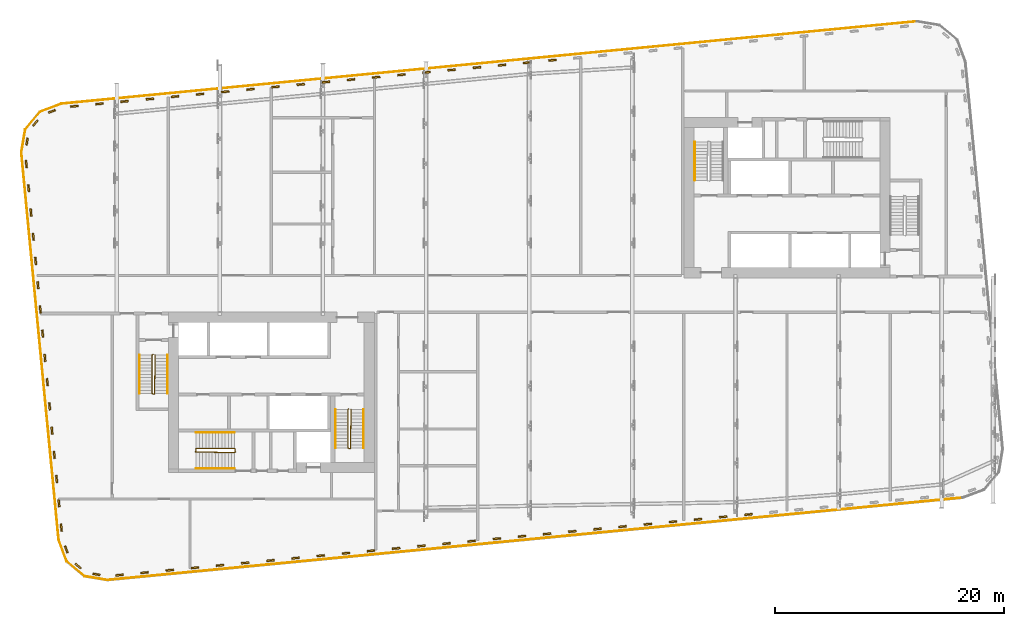
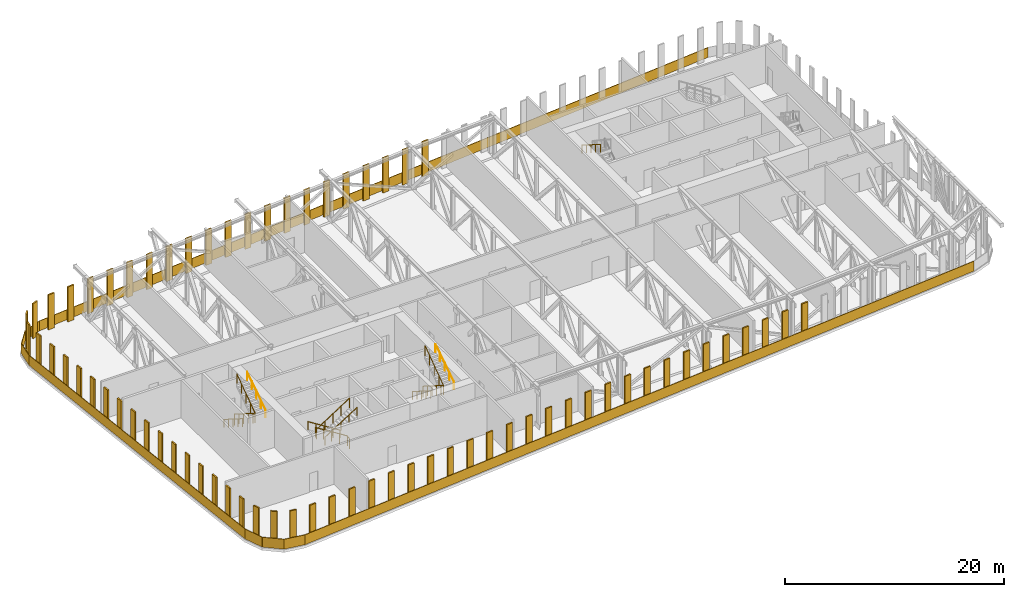
# One storey, part 25 of 26: 68 shading devices, 19 railings.
"""IFC4 building model written with IfcOpenShell, lengths in metres."""

import ifcopenshell
import ifcopenshell.guid

model = None  # the IFC model being written
_history = None  # IfcOwnerHistory: only IFC2X3 demands one
_inside = {}  # id of a spatial element -> (the spatial element, [elements in it])
_under = {}  # id of a project, library or spatial element -> (it, [spatial elements below it])
_declared = {}  # id of a project -> (the project, [libraries it declares])
_typed = {}  # id of a type object -> (the type object, [elements of that type])
_made_of = {}  # id of a material, layer set ... -> (it, [elements and type objects made of it])


def new_model(schema):
    """Start an empty IFC model of exactly this schema.

    Asked for "IFC4X3", IfcOpenShell would pick the latest addendum, in which some entities
    have other attributes; the version numbers below select the first issue.
    IFC2X3 requires an IfcOwnerHistory on every rooted entity: one is made here for all.
    """
    global model, _history
    if schema == "IFC4X3":
        model = ifcopenshell.file(schema_version=(4, 3, 0, 0))
    else:
        model = ifcopenshell.file(schema=schema)
    _inside.clear()
    _under.clear()
    _declared.clear()
    _typed.clear()
    _made_of.clear()
    _history = None
    if model.schema == "IFC2X3":
        org = make("IfcOrganization", Name="unknown")
        user = make(
            "IfcPersonAndOrganization",
            ThePerson=make("IfcPerson", FamilyName="unknown"),
            TheOrganization=org,
        )
        app = make(
            "IfcApplication",
            ApplicationDeveloper=org,
            Version="unknown",
            ApplicationFullName="unknown",
            ApplicationIdentifier="unknown",
        )
        _history = make(
            "IfcOwnerHistory",
            OwningUser=user,
            OwningApplication=app,
            ChangeAction="ADDED",
            CreationDate=0,
        )
    return model


def make(cls, **values):
    """One entity of the class cls with the attributes given. An attribute that is None is left unset."""
    return model.create_entity(
        cls, **{name: value for name, value in values.items() if value is not None}
    )


def rooted(cls, **values):
    """An entity with a GlobalId (a new one), such as an element, a storey or a relation."""
    return make(cls, GlobalId=ifcopenshell.guid.new(), OwnerHistory=_history, **values)


def si_unit(unit_type, name, prefix=None):
    """IfcSIUnit, for example si_unit("LENGTHUNIT", "METRE", prefix="MILLI")."""
    return make("IfcSIUnit", UnitType=unit_type, Prefix=prefix, Name=name)


def assignment(units):
    """IfcUnitAssignment: the units of a project."""
    return None if units is None else make("IfcUnitAssignment", Units=units)


def point(xyz):
    """IfcCartesianPoint."""
    return None if xyz is None else make("IfcCartesianPoint", Coordinates=xyz)


def direction(xyz):
    """IfcDirection."""
    return None if xyz is None else make("IfcDirection", DirectionRatios=xyz)


def frame(location, z_axis=None, x_axis=None):
    """IfcAxis2Placement3D, a coordinate frame: its origin and axes. An axis left out is left unset."""
    return make(
        "IfcAxis2Placement3D",
        Location=point(location),
        Axis=direction(z_axis),
        RefDirection=direction(x_axis),
    )


def frame_2d(location, x_axis=None):
    """IfcAxis2Placement2D, a coordinate frame in the plane: its origin and x axis."""
    return make(
        "IfcAxis2Placement2D", Location=point(location), RefDirection=direction(x_axis)
    )


def origin():
    """The frame at (0, 0, 0) with its axes left unset."""
    return frame((0.0, 0.0, 0.0))


def origin_2d():
    """The frame at (0, 0) in the plane with its x axis left unset."""
    return frame_2d((0.0, 0.0))


def place(relative_to, where):
    """IfcLocalPlacement: puts the frame where relative to a parent placement (None: the world)."""
    return make(
        "IfcLocalPlacement", PlacementRelTo=relative_to, RelativePlacement=where
    )


def context(
    kind, dimensions, precision=None, world=None, true_north=None, identifier=None
):
    """IfcGeometricRepresentationContext, for example the 3D "Model" context."""
    return make(
        "IfcGeometricRepresentationContext",
        ContextIdentifier=identifier,
        ContextType=kind,
        CoordinateSpaceDimension=dimensions,
        Precision=precision,
        WorldCoordinateSystem=world,
        TrueNorth=true_north,
    )


def subcontext(parent, identifier, kind, view, scale=None):
    """IfcGeometricRepresentationSubContext, for example "Body" below "Model"."""
    return make(
        "IfcGeometricRepresentationSubContext",
        ContextIdentifier=identifier,
        ContextType=kind,
        ParentContext=parent,
        TargetScale=scale,
        TargetView=view,
    )


def project(units=None, contexts=None):
    """IfcProject with its units and contexts."""
    return rooted(
        "IfcProject",
        Name="project",
        RepresentationContexts=contexts,
        UnitsInContext=assignment(units),
    )


def spatial(cls, under=None, at=None, **own):
    """A site, building, storey or space (cls), placed at a placement, below another one or the project."""
    s = rooted(cls, ObjectPlacement=at, **own)
    if under is not None:
        _under.setdefault(under.id(), (under, []))[1].append(s)
    return s


def polyline(points):
    """IfcPolyline through the points."""
    return make("IfcPolyline", Points=[point(p) for p in points])


def profile(cls, at=None, kind="AREA", **sizes):
    """A parametric profile (cls). Its sizes go by their IFC names, for example OverallWidth=200.0."""
    return make(cls, ProfileType=kind, Position=at, **sizes)


def rectangle(**sizes):
    """IfcRectangleProfileDef."""
    return profile("IfcRectangleProfileDef", **sizes)


def circle(**sizes):
    """IfcCircleProfileDef."""
    return profile("IfcCircleProfileDef", **sizes)


def outline(outer, holes=None, kind="AREA"):
    """IfcArbitraryClosedProfileDef: a profile drawn as a closed curve; with holes, ...WithVoids."""
    if holes is None:
        return make("IfcArbitraryClosedProfileDef", ProfileType=kind, OuterCurve=outer)
    return make(
        "IfcArbitraryProfileDefWithVoids",
        ProfileType=kind,
        OuterCurve=outer,
        InnerCurves=holes,
    )


def extrude(swept, where, along, depth):
    """IfcExtrudedAreaSolid: the profile swept, set in the frame where, extruded along a direction by depth."""
    return make(
        "IfcExtrudedAreaSolid",
        SweptArea=swept,
        Position=where,
        ExtrudedDirection=direction(along),
        Depth=depth,
    )


def shape(context_of_items, identifier, shape_type, items):
    """IfcShapeRepresentation: the items that make up one representation, for example the "Body"."""
    return make(
        "IfcShapeRepresentation",
        ContextOfItems=context_of_items,
        RepresentationIdentifier=identifier,
        RepresentationType=shape_type,
        Items=items,
    )


def material(Name=None, Category=None):
    """IfcMaterial."""
    return make("IfcMaterial", Name=Name, Category=Category)


def made_of(thing, what):
    """Note that an element or type object is made of a material, layer set ...; save() writes the relation."""
    if what is not None:
        _made_of.setdefault(what.id(), (what, []))[1].append(thing)
    return thing


def type_object(cls, material=None, **own):
    """A type object (cls), such as IfcWallType, which elements share."""
    return made_of(rooted(cls, **own), material)


def element(
    cls,
    number,
    at=None,
    inside=None,
    cuts=None,
    type_object=None,
    material=None,
    context=None,
    identifier="Body",
    shape_type=None,
    held_by="IfcProductDefinitionShape",
    body=None,
    shapes=None,
    **own,
):
    """One element of the class cls, such as IfcWall. Its Tag is "e" and its number.

    at: its placement. inside: the storey or other place that contains it. cuts: it is an
    opening in that element (IfcRelVoidsElement). A single representation is given by context,
    identifier, shape_type and body (its items); several are given by shapes. held_by: the class
    of the entity that holds the representations. save() writes the other relations.
    """
    e = rooted(cls, Tag="e%d" % number, ObjectPlacement=at, **own)
    if body is not None:
        shapes = [shape(context, identifier, shape_type, body)]
    if shapes is not None:
        e.Representation = make(held_by, Representations=shapes)
    if inside is not None:
        _inside.setdefault(inside.id(), (inside, []))[1].append(e)
    if cuts is not None:
        rooted(
            "IfcRelVoidsElement", RelatingBuildingElement=cuts, RelatedOpeningElement=e
        )
    if type_object is not None:
        _typed.setdefault(type_object.id(), (type_object, []))[1].append(e)
    return made_of(e, material)


def aggregate(whole, parts):
    """IfcRelAggregates: a whole, such as a stair, and the parts it consists of."""
    return rooted("IfcRelAggregates", RelatingObject=whole, RelatedObjects=parts)


def save(model, path):
    """Write the relations noted so far, then the file.

    IfcRelAggregates (storeys below a building ...), IfcRelContainedInSpatialStructure (elements
    in a storey), IfcRelDefinesByType, IfcRelAssociatesMaterial and IfcRelDeclares: one each for
    every whole, place, type object, material and project.
    """
    for whole, parts in _under.values():
        aggregate(whole, parts)
    for where, things in _inside.values():
        rooted(
            "IfcRelContainedInSpatialStructure",
            RelatedElements=things,
            RelatingStructure=where,
        )
    for kind, things in _typed.values():
        rooted("IfcRelDefinesByType", RelatedObjects=things, RelatingType=kind)
    for what, things in _made_of.values():
        rooted("IfcRelAssociatesMaterial", RelatedObjects=things, RelatingMaterial=what)
    for by, libraries in _declared.values():
        rooted("IfcRelDeclares", RelatingContext=by, RelatedDefinitions=libraries)
    model.write(path)


model = new_model("IFC4")

# Units and contexts
model_context = context("Model", 3, precision=1e-05, world=origin(), true_north=direction((0.0, 1.0)))
body_context = subcontext(model_context, "Body", "Model", "MODEL_VIEW")
ifc_project = project(units=[si_unit("LENGTHUNIT", "METRE"), si_unit("AREAUNIT", "SQUARE_METRE"), si_unit("VOLUMEUNIT", "CUBIC_METRE"), si_unit("PLANEANGLEUNIT", "RADIAN"), si_unit("MASSUNIT", "GRAM", prefix="KILO")], contexts=[model_context])

# Site, building, storey
site_placement = place(None, origin())
site = spatial("IfcSite", under=ifc_project, at=site_placement, CompositionType="ELEMENT")
building_placement = place(site_placement, origin())
building = spatial("IfcBuilding", under=site, at=building_placement, Name="Kajstack Hotel Tower", CompositionType="ELEMENT")
storey_placement = place(building_placement, frame((0.0, 0.0, 206.5)))
storey = spatial("IfcBuildingStorey", under=building, at=storey_placement, Name="L50", CompositionType="ELEMENT", Elevation=206.5)

# Railings
ifc_material = material(Name="Steel S355J2", Category="steel")
railing_type_1 = type_object("IfcRailingType", Name="GUARD-FACADE", PredefinedType="GUARDRAIL", material=ifc_material)
railing_1_placement = place(storey_placement, frame((-41.061767578125, -21.3720703125, 0.0)))
element("IfcRailing", 1, at=railing_1_placement, inside=storey, type_object=railing_type_1, Name="Guard L50 slab edge 01", PredefinedType="GUARDRAIL", context=body_context, shape_type="SweptSolid", body=[
    extrude(outline(polyline([(0.736572265625, -1.884033203125), (0.680419921875, -1.905029296875), (-0.028076171875, -0.010498046875), (0.028076171875, 0.010498046875), (0.736572265625, -1.884033203125)])), origin(), (0.0, 0.0, 1.0), 1.10009765625),
])
railing_2_placement = place(storey_placement, frame((-40.353271484375, -23.2666015625, 0.0)))
element("IfcRailing", 2, at=railing_2_placement, inside=storey, type_object=railing_type_1, Name="Guard L50 slab edge 02", PredefinedType="GUARDRAIL", context=body_context, shape_type="SweptSolid", body=[
    extrude(outline(polyline([(1.56689453125, -1.2529296875), (1.52880859375, -1.29931640625), (-0.01904296875, -0.023193359375), (0.01904296875, 0.023193359375), (1.56689453125, -1.2529296875)])), origin(), (0.0, 0.0, 1.0), 1.10009765625),
])
railing_3_placement = place(storey_placement, frame((-38.805419921875, -24.542724609375, 0.0)))
element("IfcRailing", 3, at=railing_3_placement, inside=storey, type_object=railing_type_1, Name="Guard L50 slab edge 03", PredefinedType="GUARDRAIL", context=body_context, shape_type="SweptSolid", body=[
    extrude(outline(polyline([(2.0, -0.30419921875), (1.990234375, -0.36328125), (-0.0048828125, -0.029541015625), (0.0048828125, 0.029541015625), (2.0, -0.30419921875)])), origin(), (0.0, 0.0, 1.0), 1.10009765625),
])
railing_4_placement = place(storey_placement, frame((-36.810302734375, -24.87646484375, 0.0)))
element("IfcRailing", 4, at=railing_4_placement, inside=storey, type_object=railing_type_1, Name="Guard L50 slab edge 04", PredefinedType="GUARDRAIL", context=body_context, shape_type="SweptSolid", body=[
    extrude(outline(polyline([(74.620361328125, 7.215087890625), (74.626220703125, 7.155517578125), (0.0029296875, -0.02978515625), (-0.0029296875, 0.02978515625), (74.620361328125, 7.215087890625)])), origin(), (0.0, 0.0, 1.0), 1.10009765625),
])
railing_5_placement = place(storey_placement, frame((33.810302734375, 23.87646484375, 0.0)))
element("IfcRailing", 5, at=railing_5_placement, inside=storey, type_object=railing_type_1, Name="Guard L50 slab edge 12", PredefinedType="GUARDRAIL", context=body_context, shape_type="SweptSolid", body=[
    extrude(outline(polyline([(-74.620361328125, -7.215087890625), (-74.626220703125, -7.155517578125), (-0.0029296875, 0.02978515625), (0.0029296875, -0.02978515625), (-74.620361328125, -7.215087890625)])), origin(), (0.0, 0.0, 1.0), 1.10009765625),
])
railing_6_placement = place(storey_placement, frame((-40.81298828125, 16.691162109375, 0.0)))
element("IfcRailing", 6, at=railing_6_placement, inside=storey, type_object=railing_type_1, Name="Guard L50 slab edge 13", PredefinedType="GUARDRAIL", context=body_context, shape_type="SweptSolid", body=[
    extrude(outline(polyline([(-1.884033203125, -0.736328125), (-1.905029296875, -0.68017578125), (-0.010498046875, 0.028076171875), (0.010498046875, -0.028076171875), (-1.884033203125, -0.736328125)])), origin(), (0.0, 0.0, 1.0), 1.10009765625),
])
railing_7_placement = place(storey_placement, frame((-42.70751953125, 15.98291015625, 0.0)))
element("IfcRailing", 7, at=railing_7_placement, inside=storey, type_object=railing_type_1, Name="Guard L50 slab edge 14", PredefinedType="GUARDRAIL", context=body_context, shape_type="SweptSolid", body=[
    extrude(outline(polyline([(-1.2529296875, -1.567138671875), (-1.29931640625, -1.529052734375), (-0.023193359375, 0.01904296875), (0.023193359375, -0.01904296875), (-1.2529296875, -1.567138671875)])), origin(), (0.0, 0.0, 1.0), 1.10009765625),
])
railing_8_placement = place(storey_placement, frame((-43.983642578125, 14.434814453125, 0.0)))
element("IfcRailing", 8, at=railing_8_placement, inside=storey, type_object=railing_type_1, Name="Guard L50 slab edge 15", PredefinedType="GUARDRAIL", context=body_context, shape_type="SweptSolid", body=[
    extrude(outline(polyline([(-0.30419921875, -1.999755859375), (-0.36328125, -1.989990234375), (-0.029541015625, 0.0048828125), (0.029541015625, -0.0048828125), (-0.30419921875, -1.999755859375)])), origin(), (0.0, 0.0, 1.0), 1.10009765625),
])
railing_9_placement = place(storey_placement, frame((-44.3173828125, 12.43994140625, 0.0)))
element("IfcRailing", 9, at=railing_9_placement, inside=storey, type_object=railing_type_1, Name="Guard L50 slab edge 16", PredefinedType="GUARDRAIL", context=body_context, shape_type="SweptSolid", body=[
    extrude(outline(polyline([(3.285400390625, -33.80908203125), (3.225830078125, -33.81494140625), (-0.02978515625, -0.0029296875), (0.02978515625, 0.0029296875), (3.285400390625, -33.80908203125)])), origin(), (0.0, 0.0, 1.0), 1.10009765625),
])
railing_type_2 = type_object("IfcRailingType", Name="Stair guard 1100", PredefinedType="GUARDRAIL", material=ifc_material)
railing_10_placement = place(storey_placement, frame((-32.85009765625, -5.199951171875, 0.0)))
element("IfcRailing", 10, at=railing_10_placement, inside=storey, type_object=railing_type_2, Name="L50 W1 stair guard 1", PredefinedType="GUARDRAIL", context=body_context, shape_type="SweptSolid", body=[
    extrude(circle(Radius=0.02392578125, at=origin_2d()), frame((0.0, 0.0, 1.076171875), z_axis=(-0.261352522353, -0.262633662168, 0.928826366204), x_axis=(0.708833529934, -0.705375805398, 0.0)), (0.0, 0.0, 1.0), 0.190673828125),
    extrude(circle(Radius=0.02392578125, at=origin_2d()), frame((-0.0498046875, -0.050048828125, 1.2529296875), z_axis=(0.0, -0.845389635667, 0.534150132366), x_axis=(1.0, 0.0, 0.0)), (0.0, 0.0, 1.0), 3.974609375),
    extrude(circle(Radius=0.02392578125, at=origin_2d()), frame((-0.0498046875, -3.41015625, 3.3759765625), z_axis=(0.970351222016, -0.241699205484, 0.0), x_axis=(0.241699205484, 0.970351222016, 0.0)), (0.0, 0.0, 1.0), 0.2060546875),
    extrude(circle(Radius=0.02392578125, at=origin_2d()), frame((0.150146484375, -3.4599609375, 3.3759765625), z_axis=(0.012167203753, 0.828972364935, 0.559157202696), x_axis=(-0.999892303572, 0.014675873289, 0.0)), (0.0, 0.0, 1.0), 4.113525390625),
    extrude(circle(Radius=0.02099609375, at=origin_2d()), origin(), (0.0, 0.0, 1.0), 1.052001953125),
    extrude(circle(Radius=0.02099609375, at=origin_2d()), frame((-0.0498046875, -0.050048828125, 0.177001953125)), (0.0, 0.0, 1.0), 1.052001953125),
    extrude(circle(Radius=0.02099609375, at=origin_2d()), frame((-0.0498046875, -0.89013671875, 0.707763671875)), (0.0, 0.0, 1.0), 1.052001953125),
    extrude(circle(Radius=0.02099609375, at=origin_2d()), frame((-0.0498046875, -1.72998046875, 1.238525390625)), (0.0, 0.0, 1.0), 1.052001953125),
    extrude(circle(Radius=0.02099609375, at=origin_2d()), frame((-0.0498046875, -2.570068359375, 1.769287109375)), (0.0, 0.0, 1.0), 1.052001953125),
    extrude(circle(Radius=0.02099609375, at=origin_2d()), frame((-0.0498046875, -3.41015625, 2.300048828125)), (0.0, 0.0, 1.0), 1.052001953125),
    extrude(circle(Radius=0.02099609375, at=origin_2d()), frame((0.150146484375, -3.4599609375, 2.300048828125)), (0.0, 0.0, 1.0), 1.052001953125),
    extrude(circle(Radius=0.02099609375, at=origin_2d()), frame((0.16259765625, -2.607421875, 2.875)), (0.0, 0.0, 1.0), 1.052001953125),
    extrude(circle(Radius=0.02099609375, at=origin_2d()), frame((0.17529296875, -1.7548828125, 3.4501953125)), (0.0, 0.0, 1.0), 1.052001953125),
    extrude(circle(Radius=0.02099609375, at=origin_2d()), frame((0.187744140625, -0.902587890625, 4.025146484375)), (0.0, 0.0, 1.0), 1.052001953125),
    extrude(circle(Radius=0.02099609375, at=origin_2d()), frame((0.2001953125, -0.050048828125, 4.60009765625)), (0.0, 0.0, 1.0), 1.052001953125),
])
railing_11_placement = place(storey_placement, frame((-15.75, -9.949951171875, 0.0)))
element("IfcRailing", 11, at=railing_11_placement, inside=storey, type_object=railing_type_2, Name="L50 W2 stair guard 1", PredefinedType="GUARDRAIL", context=body_context, shape_type="SweptSolid", body=[
    extrude(circle(Radius=0.02392578125, at=origin_2d()), frame((0.0, 0.0, 1.076171875), z_axis=(-0.262545553595, -0.262545553595, 0.928514762713), x_axis=(0.707106781187, -0.707106781187, 0.0)), (0.0, 0.0, 1.0), 0.190673828125),
    extrude(circle(Radius=0.02392578125, at=origin_2d()), frame((-0.050048828125, -0.050048828125, 1.2529296875), z_axis=(0.0, -0.845389635667, 0.534150132366), x_axis=(1.0, 0.0, 0.0)), (0.0, 0.0, 1.0), 3.974609375),
    extrude(circle(Radius=0.02392578125, at=origin_2d()), frame((-0.050048828125, -3.41015625, 3.3759765625), z_axis=(0.970351222016, -0.241699205484, 0.0), x_axis=(0.241699205484, 0.970351222016, 0.0)), (0.0, 0.0, 1.0), 0.2060546875),
    extrude(circle(Radius=0.02392578125, at=origin_2d()), frame((0.14990234375, -3.4599609375, 3.3759765625), z_axis=(0.012167203753, 0.828972364935, 0.559157202696), x_axis=(-0.999892303572, 0.014675873289, 0.0)), (0.0, 0.0, 1.0), 4.113525390625),
    extrude(circle(Radius=0.02099609375, at=origin_2d()), origin(), (0.0, 0.0, 1.0), 1.052001953125),
    extrude(circle(Radius=0.02099609375, at=origin_2d()), frame((-0.050048828125, -0.050048828125, 0.177001953125)), (0.0, 0.0, 1.0), 1.052001953125),
    extrude(circle(Radius=0.02099609375, at=origin_2d()), frame((-0.050048828125, -0.89013671875, 0.707763671875)), (0.0, 0.0, 1.0), 1.052001953125),
    extrude(circle(Radius=0.02099609375, at=origin_2d()), frame((-0.050048828125, -1.72998046875, 1.238525390625)), (0.0, 0.0, 1.0), 1.052001953125),
    extrude(circle(Radius=0.02099609375, at=origin_2d()), frame((-0.050048828125, -2.570068359375, 1.769287109375)), (0.0, 0.0, 1.0), 1.052001953125),
    extrude(circle(Radius=0.02099609375, at=origin_2d()), frame((-0.050048828125, -3.41015625, 2.300048828125)), (0.0, 0.0, 1.0), 1.052001953125),
    extrude(circle(Radius=0.02099609375, at=origin_2d()), frame((0.14990234375, -3.4599609375, 2.300048828125)), (0.0, 0.0, 1.0), 1.052001953125),
    extrude(circle(Radius=0.02099609375, at=origin_2d()), frame((0.162353515625, -2.607421875, 2.875)), (0.0, 0.0, 1.0), 1.052001953125),
    extrude(circle(Radius=0.02099609375, at=origin_2d()), frame((0.1748046875, -1.7548828125, 3.4501953125)), (0.0, 0.0, 1.0), 1.052001953125),
    extrude(circle(Radius=0.02099609375, at=origin_2d()), frame((0.1875, -0.902587890625, 4.025146484375)), (0.0, 0.0, 1.0), 1.052001953125),
    extrude(circle(Radius=0.02099609375, at=origin_2d()), frame((0.199951171875, -0.050048828125, 4.60009765625)), (0.0, 0.0, 1.0), 1.052001953125),
])
railing_12_placement = place(storey_placement, frame((-25.64990234375, -13.699951171875, 0.0)))
element("IfcRailing", 12, at=railing_12_placement, inside=storey, type_object=railing_type_2, Name="L50 W3 stair guard 1", PredefinedType="GUARDRAIL", context=body_context, shape_type="SweptSolid", body=[
    extrude(circle(Radius=0.02392578125, at=origin_2d()), frame((0.0, 0.0, 1.076171875), z_axis=(-0.142207198326, 0.852549496304, 0.502927896518), x_axis=(-0.986372223864, -0.164529134168, 0.0)), (0.0, 0.0, 1.0), 0.35205078125),
    extrude(circle(Radius=0.02392578125, at=origin_2d()), frame((-0.050048828125, 0.300048828125, 1.2529296875), z_axis=(-0.845389635667, 0.0, 0.534150132366), x_axis=(0.0, -1.0, 0.0)), (0.0, 0.0, 1.0), 3.974609375),
    extrude(circle(Radius=0.02392578125, at=origin_2d()), frame((-3.41015625, 0.300048828125, 3.3759765625), z_axis=(-0.164529134168, -0.986372223864, 0.0), x_axis=(0.986372223864, -0.164529134168, 0.0)), (0.0, 0.0, 1.0), 0.30419921875),
    extrude(circle(Radius=0.02392578125, at=origin_2d()), frame((-3.460205078125, 0.0, 3.3759765625), z_axis=(0.828990929223, -0.012166605133, 0.559129692455), x_axis=(0.014674822837, 0.99989231899, 0.0)), (0.0, 0.0, 1.0), 4.113525390625),
    extrude(circle(Radius=0.02099609375, at=origin_2d()), origin(), (0.0, 0.0, 1.0), 1.052001953125),
    extrude(circle(Radius=0.02099609375, at=origin_2d()), frame((-0.050048828125, 0.300048828125, 0.177001953125)), (0.0, 0.0, 1.0), 1.052001953125),
    extrude(circle(Radius=0.02099609375, at=origin_2d()), frame((-0.89013671875, 0.300048828125, 0.707763671875)), (0.0, 0.0, 1.0), 1.052001953125),
    extrude(circle(Radius=0.02099609375, at=origin_2d()), frame((-1.72998046875, 0.300048828125, 1.238525390625)), (0.0, 0.0, 1.0), 1.052001953125),
    extrude(circle(Radius=0.02099609375, at=origin_2d()), frame((-2.570068359375, 0.300048828125, 1.769287109375)), (0.0, 0.0, 1.0), 1.052001953125),
    extrude(circle(Radius=0.02099609375, at=origin_2d()), frame((-3.41015625, 0.300048828125, 2.300048828125)), (0.0, 0.0, 1.0), 1.052001953125),
    extrude(circle(Radius=0.02099609375, at=origin_2d()), frame((-3.460205078125, 0.0, 2.300048828125)), (0.0, 0.0, 1.0), 1.052001953125),
    extrude(circle(Radius=0.02099609375, at=origin_2d()), frame((-2.607666015625, -0.012451171875, 2.875)), (0.0, 0.0, 1.0), 1.052001953125),
    extrude(circle(Radius=0.02099609375, at=origin_2d()), frame((-1.755126953125, -0.02490234375, 3.4501953125)), (0.0, 0.0, 1.0), 1.052001953125),
    extrude(circle(Radius=0.02099609375, at=origin_2d()), frame((-0.902587890625, -0.03759765625, 4.025146484375)), (0.0, 0.0, 1.0), 1.052001953125),
    extrude(circle(Radius=0.02099609375, at=origin_2d()), frame((-0.050048828125, -0.050048828125, 4.60009765625)), (0.0, 0.0, 1.0), 1.052001953125),
])
railing_type_3 = type_object("IfcRailingType", Name="Stair handrail 900", PredefinedType="HANDRAIL", material=ifc_material)
railing_13_placement = place(storey_placement, frame((-34.0, -5.25, 0.177001953125)))
element("IfcRailing", 13, at=railing_13_placement, inside=storey, type_object=railing_type_3, Name="L50 W1 stair handrail 1", PredefinedType="HANDRAIL", context=body_context, shape_type="SweptSolid", body=[
    extrude(circle(Radius=0.02392578125, at=origin_2d()), frame((0.0, 0.0, 0.8759765625), z_axis=(0.0, -0.845389635667, 0.534150132366), x_axis=(1.0, 0.0, 0.0)), (0.0, 0.0, 1.0), 3.974609375),
    extrude(circle(Radius=0.02099609375, at=origin_2d()), origin(), (0.0, 0.0, 1.0), 0.851806640625),
    extrude(circle(Radius=0.02099609375, at=origin_2d()), frame((0.0, -0.840087890625, 0.53076171875)), (0.0, 0.0, 1.0), 0.851806640625),
    extrude(circle(Radius=0.02099609375, at=origin_2d()), frame((0.0, -1.68017578125, 1.0615234375)), (0.0, 0.0, 1.0), 0.851806640625),
    extrude(circle(Radius=0.02099609375, at=origin_2d()), frame((0.0, -2.52001953125, 1.59228515625)), (0.0, 0.0, 1.0), 0.851806640625),
    extrude(circle(Radius=0.02099609375, at=origin_2d()), frame((0.0, -3.360107421875, 2.123046875)), (0.0, 0.0, 1.0), 0.851806640625),
])
railing_14_placement = place(storey_placement, frame((-31.550048828125, -8.610107421875, 2.476806640625)))
element("IfcRailing", 14, at=railing_14_placement, inside=storey, type_object=railing_type_3, Name="L50 W1 stair handrail 2", PredefinedType="HANDRAIL", context=body_context, shape_type="SweptSolid", body=[
    extrude(circle(Radius=0.02392578125, at=origin_2d()), frame((0.0, 0.0, 0.8759765625), z_axis=(0.0, 0.845361898145, 0.534194029511), x_axis=(-1.0, 0.0, 0.0)), (0.0, 0.0, 1.0), 3.974853515625),
    extrude(circle(Radius=0.02099609375, at=origin_2d()), origin(), (0.0, 0.0, 1.0), 0.851806640625),
    extrude(circle(Radius=0.02099609375, at=origin_2d()), frame((0.0, 0.840087890625, 0.53076171875)), (0.0, 0.0, 1.0), 0.851806640625),
    extrude(circle(Radius=0.02099609375, at=origin_2d()), frame((0.0, 1.68017578125, 1.0615234375)), (0.0, 0.0, 1.0), 0.851806640625),
    extrude(circle(Radius=0.02099609375, at=origin_2d()), frame((0.0, 2.52001953125, 1.592529296875)), (0.0, 0.0, 1.0), 0.851806640625),
    extrude(circle(Radius=0.02099609375, at=origin_2d()), frame((0.0, 3.360107421875, 2.123291015625)), (0.0, 0.0, 1.0), 0.851806640625),
])
railing_15_placement = place(storey_placement, frame((-16.89990234375, -10.0, 0.177001953125)))
element("IfcRailing", 15, at=railing_15_placement, inside=storey, type_object=railing_type_3, Name="L50 W2 stair handrail 1", PredefinedType="HANDRAIL", context=body_context, shape_type="SweptSolid", body=[
    extrude(circle(Radius=0.02392578125, at=origin_2d()), frame((0.0, 0.0, 0.8759765625), z_axis=(0.0, -0.845389635667, 0.534150132366), x_axis=(1.0, 0.0, 0.0)), (0.0, 0.0, 1.0), 3.974609375),
    extrude(circle(Radius=0.02099609375, at=origin_2d()), origin(), (0.0, 0.0, 1.0), 0.851806640625),
    extrude(circle(Radius=0.02099609375, at=origin_2d()), frame((0.0, -0.840087890625, 0.53076171875)), (0.0, 0.0, 1.0), 0.851806640625),
    extrude(circle(Radius=0.02099609375, at=origin_2d()), frame((0.0, -1.68017578125, 1.0615234375)), (0.0, 0.0, 1.0), 0.851806640625),
    extrude(circle(Radius=0.02099609375, at=origin_2d()), frame((0.0, -2.52001953125, 1.59228515625)), (0.0, 0.0, 1.0), 0.851806640625),
    extrude(circle(Radius=0.02099609375, at=origin_2d()), frame((0.0, -3.360107421875, 2.123046875)), (0.0, 0.0, 1.0), 0.851806640625),
])
railing_16_placement = place(storey_placement, frame((-14.449951171875, -13.360107421875, 2.476806640625)))
element("IfcRailing", 16, at=railing_16_placement, inside=storey, type_object=railing_type_3, Name="L50 W2 stair handrail 2", PredefinedType="HANDRAIL", context=body_context, shape_type="SweptSolid", body=[
    extrude(circle(Radius=0.02392578125, at=origin_2d()), frame((0.0, 0.0, 0.8759765625), z_axis=(0.0, 0.845361898145, 0.534194029511), x_axis=(-1.0, 0.0, 0.0)), (0.0, 0.0, 1.0), 3.974853515625),
    extrude(circle(Radius=0.02099609375, at=origin_2d()), origin(), (0.0, 0.0, 1.0), 0.851806640625),
    extrude(circle(Radius=0.02099609375, at=origin_2d()), frame((0.0, 0.840087890625, 0.53076171875)), (0.0, 0.0, 1.0), 0.851806640625),
    extrude(circle(Radius=0.02099609375, at=origin_2d()), frame((0.0, 1.68017578125, 1.0615234375)), (0.0, 0.0, 1.0), 0.851806640625),
    extrude(circle(Radius=0.02099609375, at=origin_2d()), frame((0.0, 2.52001953125, 1.592529296875)), (0.0, 0.0, 1.0), 0.851806640625),
    extrude(circle(Radius=0.02099609375, at=origin_2d()), frame((0.0, 3.360107421875, 2.123291015625)), (0.0, 0.0, 1.0), 0.851806640625),
])
railing_17_placement = place(storey_placement, frame((-25.699951171875, -12.0, 0.177001953125)))
element("IfcRailing", 17, at=railing_17_placement, inside=storey, type_object=railing_type_3, Name="L50 W3 stair handrail 1", PredefinedType="HANDRAIL", context=body_context, shape_type="SweptSolid", body=[
    extrude(circle(Radius=0.02392578125, at=origin_2d()), frame((0.0, 0.0, 0.8759765625), z_axis=(-0.845389635667, 0.0, 0.534150132366), x_axis=(0.0, -1.0, 0.0)), (0.0, 0.0, 1.0), 3.974609375),
    extrude(circle(Radius=0.02099609375, at=origin_2d()), origin(), (0.0, 0.0, 1.0), 0.851806640625),
    extrude(circle(Radius=0.02099609375, at=origin_2d()), frame((-0.840087890625, 0.0, 0.53076171875)), (0.0, 0.0, 1.0), 0.851806640625),
    extrude(circle(Radius=0.02099609375, at=origin_2d()), frame((-1.68017578125, 0.0, 1.0615234375)), (0.0, 0.0, 1.0), 0.851806640625),
    extrude(circle(Radius=0.02099609375, at=origin_2d()), frame((-2.52001953125, 0.0, 1.59228515625)), (0.0, 0.0, 1.0), 0.851806640625),
    extrude(circle(Radius=0.02099609375, at=origin_2d()), frame((-3.360107421875, 0.0, 2.123046875)), (0.0, 0.0, 1.0), 0.851806640625),
])
railing_18_placement = place(storey_placement, frame((-29.06005859375, -15.14990234375, 2.476806640625)))
element("IfcRailing", 18, at=railing_18_placement, inside=storey, type_object=railing_type_3, Name="L50 W3 stair handrail 2", PredefinedType="HANDRAIL", context=body_context, shape_type="SweptSolid", body=[
    extrude(circle(Radius=0.02392578125, at=origin_2d()), frame((0.0, 0.0, 0.8759765625), z_axis=(0.845361898145, 0.0, 0.534194029511), x_axis=(0.0, 1.0, 0.0)), (0.0, 0.0, 1.0), 3.974853515625),
    extrude(circle(Radius=0.02099609375, at=origin_2d()), origin(), (0.0, 0.0, 1.0), 0.851806640625),
    extrude(circle(Radius=0.02099609375, at=origin_2d()), frame((0.840087890625, 0.0, 0.53076171875)), (0.0, 0.0, 1.0), 0.851806640625),
    extrude(circle(Radius=0.02099609375, at=origin_2d()), frame((1.68017578125, 0.0, 1.0615234375)), (0.0, 0.0, 1.0), 0.851806640625),
    extrude(circle(Radius=0.02099609375, at=origin_2d()), frame((2.52001953125, 0.0, 1.592529296875)), (0.0, 0.0, 1.0), 0.851806640625),
    extrude(circle(Radius=0.02099609375, at=origin_2d()), frame((3.360107421875, 0.0, 2.123291015625)), (0.0, 0.0, 1.0), 0.851806640625),
])
railing_19_placement = place(storey_placement, frame((14.449951171875, 13.360107421875, 2.476806640625)))
element("IfcRailing", 19, at=railing_19_placement, inside=storey, type_object=railing_type_3, Name="L50 E2 stair handrail 2", PredefinedType="HANDRAIL", context=body_context, shape_type="SweptSolid", body=[
    extrude(circle(Radius=0.02392578125, at=origin_2d()), frame((0.0, 0.0, 0.8759765625), z_axis=(0.0, -0.845361898145, 0.534194029511), x_axis=(1.0, 0.0, 0.0)), (0.0, 0.0, 1.0), 3.974853515625),
    extrude(circle(Radius=0.02099609375, at=origin_2d()), origin(), (0.0, 0.0, 1.0), 0.851806640625),
    extrude(circle(Radius=0.02099609375, at=origin_2d()), frame((0.0, -0.840087890625, 0.53076171875)), (0.0, 0.0, 1.0), 0.851806640625),
    extrude(circle(Radius=0.02099609375, at=origin_2d()), frame((0.0, -1.68017578125, 1.0615234375)), (0.0, 0.0, 1.0), 0.851806640625),
    extrude(circle(Radius=0.02099609375, at=origin_2d()), frame((0.0, -2.52001953125, 1.592529296875)), (0.0, 0.0, 1.0), 0.851806640625),
    extrude(circle(Radius=0.02099609375, at=origin_2d()), frame((0.0, -3.360107421875, 2.123291015625)), (0.0, 0.0, 1.0), 0.851806640625),
])

# Shading devices
for number, where, z_axis, x_axis, name in (
    (20, (-43.888427734375, 11.4296875, 0.0), (0.0, 0.0, 1.0), (0.095844327939, -0.995396335538, 0.0), "Screen L50-00-01"),
    (21, (-43.684814453125, 9.314453125, 0.0), (0.0, 0.0, 1.0), (0.095844327939, -0.995396335538, 0.0), "Screen L50-00-02"),
    (22, (-43.481201171875, 7.19921875, 0.0), (0.0, 0.0, 1.0), (0.095844327939, -0.995396335538, 0.0), "Screen L50-00-03"),
    (23, (-43.277587890625, 5.083984375, 0.0), (0.0, 0.0, 1.0), (0.095844327939, -0.995396335538, 0.0), "Screen L50-00-04"),
    (24, (-43.073974609375, 2.96875, 0.0), (0.0, 0.0, 1.0), (0.095844327939, -0.995396335538, 0.0), "Screen L50-00-05"),
    (25, (-42.8701171875, 0.853515625, 0.0), (0.0, 0.0, 1.0), (0.095844327939, -0.995396335538, 0.0), "Screen L50-00-06"),
    (26, (-42.66650390625, -1.26171875, 0.0), (0.0, 0.0, 1.0), (0.095844327939, -0.995396335538, 0.0), "Screen L50-00-07"),
    (27, (-42.462890625, -3.376953125, 0.0), (0.0, 0.0, 1.0), (0.095844327939, -0.995396335538, 0.0), "Screen L50-00-08"),
    (28, (-42.25927734375, -5.4921875, 0.0), (0.0, 0.0, 1.0), (0.095844327939, -0.995396335538, 0.0), "Screen L50-00-09"),
    (29, (-42.055419921875, -7.607177734375, 0.0), (0.0, 0.0, 1.0), (0.095844327939, -0.995396335538, 0.0), "Screen L50-00-10"),
    (30, (-41.851806640625, -9.722412109375, 0.0), (0.0, 0.0, 1.0), (0.095844327939, -0.995396335538, 0.0), "Screen L50-00-11"),
    (31, (-41.648193359375, -11.837646484375, 0.0), (0.0, 0.0, 1.0), (0.095844327939, -0.995396335538, 0.0), "Screen L50-00-12"),
    (32, (-41.444580078125, -13.952880859375, 0.0), (0.0, 0.0, 1.0), (0.095844327939, -0.995396335538, 0.0), "Screen L50-00-13"),
    (33, (-41.24072265625, -16.068115234375, 0.0), (0.0, 0.0, 1.0), (0.095844327939, -0.995396335538, 0.0), "Screen L50-00-14"),
    (34, (-41.037109375, -18.183349609375, 0.0), (0.0, 0.0, 1.0), (0.095844327939, -0.995396335538, 0.0), "Screen L50-00-15"),
    (35, (-40.83349609375, -20.298583984375, 0.0), (0.0, 0.0, 1.0), (0.095844327939, -0.995396335538, 0.0), "Screen L50-00-16"),
):
    element("IfcShadingDevice", number, at=place(storey_placement, frame(where, z_axis=z_axis, x_axis=x_axis)), inside=storey, Name=name, ObjectType="SCREEN", PredefinedType="USERDEFINED", context=body_context, shape_type="SweptSolid", body=[
        extrude(rectangle(XDim=0.637451171875, YDim=0.14990234375, at=origin_2d()), origin(), (0.0, 0.0, 1.0), 3.89990234375),
    ])
for number, where, z_axis, x_axis, name in (
    (36, (-40.3955078125, -22.21142578125, 0.0), (0.0, 0.0, 1.0), (0.35022884611, -0.936664163589, 0.0), "Screen L50-01-01"),
    (37, (-39.369384765625, -23.650146484375, 0.0), (0.0, 0.0, 1.0), (0.771615058078, -0.636089775227, 0.0), "Screen L50-02-01"),
    (38, (-37.761474609375, -24.3828125, 0.0), (0.0, 0.0, 1.0), (0.986289302891, -0.165025485918, 0.0), "Screen L50-03-01"),
):
    element("IfcShadingDevice", number, at=place(storey_placement, frame(where, z_axis=z_axis, x_axis=x_axis)), inside=storey, Name=name, ObjectType="SCREEN", PredefinedType="USERDEFINED", context=body_context, shape_type="SweptSolid", body=[
        extrude(rectangle(XDim=0.62109375, YDim=0.14990234375, at=origin_2d()), origin(), (0.0, 0.0, 1.0), 3.89990234375),
    ])
for number, where, z_axis, x_axis, name in (
    (39, (-35.759765625, -24.44384765625, 0.0), (0.0, 0.0, 1.0), (0.995396236842, 0.095845352943, 0.0), "Screen L50-04-01"),
    (40, (-33.564208984375, -24.232421875, 0.0), (0.0, 0.0, 1.0), (0.995396236842, 0.095845352943, 0.0), "Screen L50-04-02"),
    (41, (-31.368408203125, -24.02099609375, 0.0), (0.0, 0.0, 1.0), (0.995396236842, 0.095845352943, 0.0), "Screen L50-04-03"),
    (42, (-29.172607421875, -23.8095703125, 0.0), (0.0, 0.0, 1.0), (0.995396236842, 0.095845352943, 0.0), "Screen L50-04-04"),
    (43, (-26.97705078125, -23.59814453125, 0.0), (0.0, 0.0, 1.0), (0.995396236842, 0.095845352943, 0.0), "Screen L50-04-05"),
    (44, (-24.78125, -23.38671875, 0.0), (0.0, 0.0, 1.0), (0.995396236842, 0.095845352943, 0.0), "Screen L50-04-06"),
    (45, (-22.58544921875, -23.17529296875, 0.0), (0.0, 0.0, 1.0), (0.995396236842, 0.095845352943, 0.0), "Screen L50-04-07"),
    (46, (-20.389892578125, -22.9638671875, 0.0), (0.0, 0.0, 1.0), (0.995396236842, 0.095845352943, 0.0), "Screen L50-04-08"),
    (47, (-18.194091796875, -22.75244140625, 0.0), (0.0, 0.0, 1.0), (0.995396236842, 0.095845352943, 0.0), "Screen L50-04-09"),
    (48, (-15.998291015625, -22.541015625, 0.0), (0.0, 0.0, 1.0), (0.995396236842, 0.095845352943, 0.0), "Screen L50-04-10"),
    (49, (-13.802490234375, -22.32958984375, 0.0), (0.0, 0.0, 1.0), (0.995396236842, 0.095845352943, 0.0), "Screen L50-04-11"),
    (50, (-11.60693359375, -22.1181640625, 0.0), (0.0, 0.0, 1.0), (0.995396236842, 0.095845352943, 0.0), "Screen L50-04-12"),
    (51, (-9.4111328125, -21.90673828125, 0.0), (0.0, 0.0, 1.0), (0.995396236842, 0.095845352943, 0.0), "Screen L50-04-13"),
    (52, (-7.21533203125, -21.6953125, 0.0), (0.0, 0.0, 1.0), (0.995396236842, 0.095845352943, 0.0), "Screen L50-04-14"),
    (53, (-5.019775390625, -21.48388671875, 0.0), (0.0, 0.0, 1.0), (0.995396236842, 0.095845352943, 0.0), "Screen L50-04-15"),
    (54, (-2.823974609375, -21.2724609375, 0.0), (0.0, 0.0, 1.0), (0.995396236842, 0.095845352943, 0.0), "Screen L50-04-16"),
    (55, (-0.628173828125, -21.06103515625, 0.0), (0.0, 0.0, 1.0), (0.995396236842, 0.095845352943, 0.0), "Screen L50-04-17"),
    (56, (1.5673828125, -20.849609375, 0.0), (0.0, 0.0, 1.0), (0.995396236842, 0.095845352943, 0.0), "Screen L50-04-18"),
    (57, (3.76318359375, -20.63818359375, 0.0), (0.0, 0.0, 1.0), (0.995396236842, 0.095845352943, 0.0), "Screen L50-04-19"),
    (58, (5.958984375, -20.4267578125, 0.0), (0.0, 0.0, 1.0), (0.995396236842, 0.095845352943, 0.0), "Screen L50-04-20"),
    (59, (8.154541015625, -20.21533203125, 0.0), (0.0, 0.0, 1.0), (0.995396236842, 0.095845352943, 0.0), "Screen L50-04-21"),
    (60, (10.350341796875, -20.00390625, 0.0), (0.0, 0.0, 1.0), (0.995396236842, 0.095845352943, 0.0), "Screen L50-04-22"),
    (61, (12.546142578125, -19.79248046875, 0.0), (0.0, 0.0, 1.0), (0.995396236842, 0.095845352943, 0.0), "Screen L50-04-23"),
    (62, (14.741943359375, -19.5810546875, 0.0), (0.0, 0.0, 1.0), (0.995396236842, 0.095845352943, 0.0), "Screen L50-04-24"),
    (63, (16.9375, -19.36962890625, 0.0), (0.0, 0.0, 1.0), (0.995396236842, 0.095845352943, 0.0), "Screen L50-04-25"),
    (64, (19.13330078125, -19.158203125, 0.0), (0.0, 0.0, 1.0), (0.995396236842, 0.095845352943, 0.0), "Screen L50-04-26"),
    (65, (2.019775390625, 20.48388671875, 0.0), (0.0, 0.0, 1.0), (-0.995396236842, -0.095845352943, 0.0), "Screen L50-12-15"),
    (66, (-0.176025390625, 20.2724609375, 0.0), (0.0, 0.0, 1.0), (-0.995396236842, -0.095845352943, 0.0), "Screen L50-12-16"),
    (67, (-2.371826171875, 20.06103515625, 0.0), (0.0, 0.0, 1.0), (-0.995396236842, -0.095845352943, 0.0), "Screen L50-12-17"),
    (68, (-4.5673828125, 19.849609375, 0.0), (0.0, 0.0, 1.0), (-0.995396236842, -0.095845352943, 0.0), "Screen L50-12-18"),
    (69, (-6.76318359375, 19.63818359375, 0.0), (0.0, 0.0, 1.0), (-0.995396236842, -0.095845352943, 0.0), "Screen L50-12-19"),
    (70, (-8.958984375, 19.4267578125, 0.0), (0.0, 0.0, 1.0), (-0.995396236842, -0.095845352943, 0.0), "Screen L50-12-20"),
    (71, (-11.154541015625, 19.21533203125, 0.0), (0.0, 0.0, 1.0), (-0.995396236842, -0.095845352943, 0.0), "Screen L50-12-21"),
    (72, (-13.350341796875, 19.00390625, 0.0), (0.0, 0.0, 1.0), (-0.995396236842, -0.095845352943, 0.0), "Screen L50-12-22"),
    (73, (-15.546142578125, 18.79248046875, 0.0), (0.0, 0.0, 1.0), (-0.995396236842, -0.095845352943, 0.0), "Screen L50-12-23"),
    (74, (-17.741943359375, 18.5810546875, 0.0), (0.0, 0.0, 1.0), (-0.995396236842, -0.095845352943, 0.0), "Screen L50-12-24"),
    (75, (-19.9375, 18.36962890625, 0.0), (0.0, 0.0, 1.0), (-0.995396236842, -0.095845352943, 0.0), "Screen L50-12-25"),
    (76, (-22.13330078125, 18.158203125, 0.0), (0.0, 0.0, 1.0), (-0.995396236842, -0.095845352943, 0.0), "Screen L50-12-26"),
    (77, (-24.3291015625, 17.94677734375, 0.0), (0.0, 0.0, 1.0), (-0.995396236842, -0.095845352943, 0.0), "Screen L50-12-27"),
    (78, (-26.524658203125, 17.7353515625, 0.0), (0.0, 0.0, 1.0), (-0.995396236842, -0.095845352943, 0.0), "Screen L50-12-28"),
    (79, (-28.720458984375, 17.52392578125, 0.0), (0.0, 0.0, 1.0), (-0.995396236842, -0.095845352943, 0.0), "Screen L50-12-29"),
    (80, (-30.916259765625, 17.3125, 0.0), (0.0, 0.0, 1.0), (-0.995396236842, -0.095845352943, 0.0), "Screen L50-12-30"),
    (81, (-33.11181640625, 17.10107421875, 0.0), (0.0, 0.0, 1.0), (-0.995396236842, -0.095845352943, 0.0), "Screen L50-12-31"),
    (82, (-35.3076171875, 16.8896484375, 0.0), (0.0, 0.0, 1.0), (-0.995396236842, -0.095845352943, 0.0), "Screen L50-12-32"),
    (83, (-37.50341796875, 16.67822265625, 0.0), (0.0, 0.0, 1.0), (-0.995396236842, -0.095845352943, 0.0), "Screen L50-12-33"),
    (84, (-39.69921875, 16.466796875, 0.0), (0.0, 0.0, 1.0), (-0.995396236842, -0.095845352943, 0.0), "Screen L50-12-34"),
):
    element("IfcShadingDevice", number, at=place(storey_placement, frame(where, z_axis=z_axis, x_axis=x_axis)), inside=storey, Name=name, ObjectType="SCREEN", PredefinedType="USERDEFINED", context=body_context, shape_type="SweptSolid", body=[
        extrude(rectangle(XDim=0.661865234375, YDim=0.14990234375, at=origin_2d()), origin(), (0.0, 0.0, 1.0), 3.89990234375),
    ])
for number, where, z_axis, x_axis, name in (
    (85, (-41.652099609375, 16.025146484375, 0.0), (0.0, 0.0, 1.0), (-0.936674084039, -0.35020231337, 0.0), "Screen L50-13-01"),
    (86, (-43.0908203125, 14.9990234375, 0.0), (0.0, 0.0, 1.0), (-0.636094825422, -0.771610894863, 0.0), "Screen L50-14-01"),
    (87, (-43.82373046875, 13.390869140625, 0.0), (0.0, 0.0, 1.0), (-0.165025485918, -0.986289302891, 0.0), "Screen L50-15-01"),
):
    element("IfcShadingDevice", number, at=place(storey_placement, frame(where, z_axis=z_axis, x_axis=x_axis)), inside=storey, Name=name, ObjectType="SCREEN", PredefinedType="USERDEFINED", context=body_context, shape_type="SweptSolid", body=[
        extrude(rectangle(XDim=0.62109375, YDim=0.14990234375, at=origin_2d()), origin(), (0.0, 0.0, 1.0), 3.89990234375),
    ])

save(model, "model.ifc")
